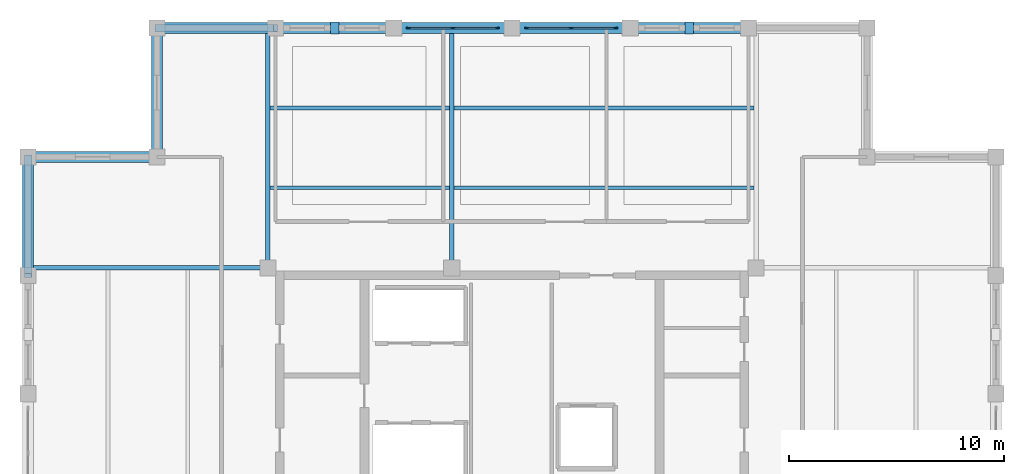
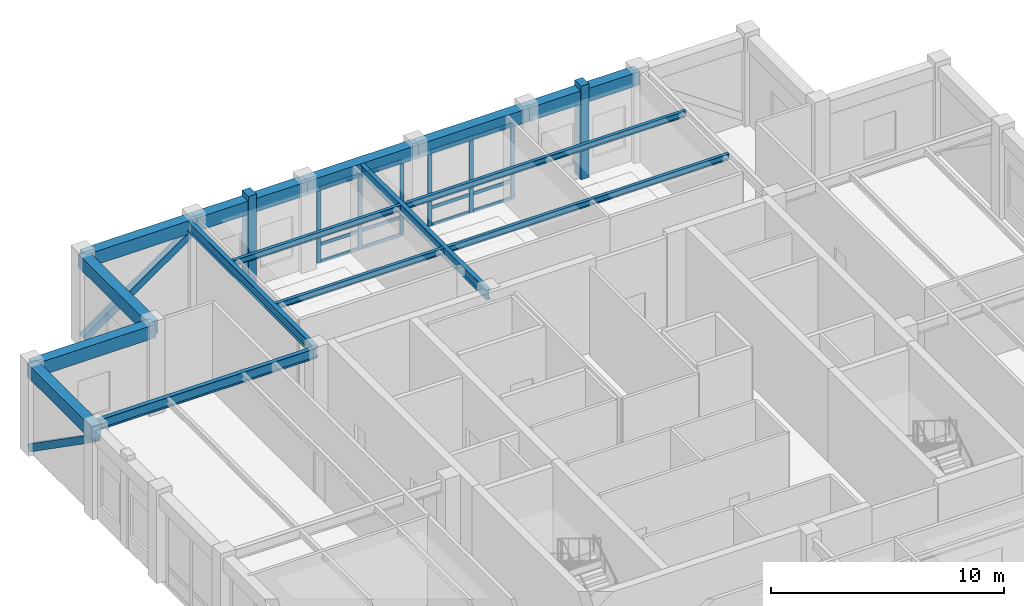
# One storey, part 5 of 13: 22 members, 15 beams, 2 elements without a shape of their own.
"""IFC4 building model written with IfcOpenShell, lengths in metres."""

from ifc_helpers import new_model, si_unit, direction, frame, origin, origin_2d, place, context, subcontext, project, spatial, rectangle, hollow_rectangle, i_section, extrude, material, layer, layer_set, material_profile, profile_set, type_object, element, aggregate, save


model = new_model("IFC4")

# Units and contexts
model_context = context("Model", 3, precision=1e-05, world=origin(), true_north=direction((0.0, 1.0)))
body_context = subcontext(model_context, "Body", "Model", "MODEL_VIEW")
ifc_project = project(units=[si_unit("LENGTHUNIT", "METRE"), si_unit("AREAUNIT", "SQUARE_METRE"), si_unit("VOLUMEUNIT", "CUBIC_METRE"), si_unit("PLANEANGLEUNIT", "RADIAN"), si_unit("MASSUNIT", "GRAM", prefix="KILO")], contexts=[model_context])

# Site, building, storey
site_placement = place(None, origin())
site = spatial("IfcSite", under=ifc_project, at=site_placement, CompositionType="ELEMENT")
building_placement = place(site_placement, origin())
building = spatial("IfcBuilding", under=site, at=building_placement, Name="Nhamokura Convention Tower", CompositionType="ELEMENT")
storey_placement = place(building_placement, frame((0.0, 0.0, 308.35009765625)))
storey = spatial("IfcBuildingStorey", under=building, at=storey_placement, Name="L76", CompositionType="ELEMENT", Elevation=308.35009765625)

# Members
ifc_material_1 = material(Name="Bronze-pigmented precast concrete C45/55", Category="concrete")
ifc_material_profile_1 = material_profile(ifc_material_1, rectangle(XDim=0.39990234375, YDim=0.550048828125, at=origin_2d()))
ifc_profile_set_1 = profile_set([ifc_material_profile_1], Name="Bronze-pigmented precast concrete C45/55")
member_type_1 = type_object("IfcMemberType", Name="BronzePilaster_550", PredefinedType="USERDEFINED", material=ifc_profile_set_1)
for number, where, z_axis, x_axis, name in (
    (1, (23.75, 54.5, 0.0), (0.0, 0.0, 1.0), (1.0, 0.0, 0.0), "L76 Engaged Frame Pilaster NORTH 1"),
    (2, (40.25, 54.5, 0.0), (0.0, 0.0, 1.0), (1.0, 0.0, 0.0), "L76 Engaged Frame Pilaster NORTH 4"),
):
    element("IfcMember", number, at=place(storey_placement, frame(where, z_axis=z_axis, x_axis=x_axis)), inside=storey, type_object=member_type_1, Name=name, ObjectType="PILASTER_TRIM", PredefinedType="USERDEFINED", context=body_context, shape_type="SweptSolid", body=[
        extrude(rectangle(XDim=0.39990234375, YDim=0.550048828125, at=origin_2d()), origin(), (0.0, 0.0, 1.0), 4.89990234375),
    ])

# Curtain wall, members
ifc_material_2 = material(Name="Anodised bronze aluminium AA6063-T6", Category="aluminium")
ifc_layer = layer(ifc_material_2, 0.18994140625)
ifc_layer_set = layer_set([ifc_layer], Name="CWSystem_SkyLobby")
curtain_wall_type = type_object("IfcCurtainWallType", Name="CWSystem_SkyLobby", PredefinedType="NOTDEFINED", material=ifc_layer_set)
curtain_wall_1_placement = place(storey_placement, origin())
curtain_wall_1 = element("IfcCurtainWall", 3, at=curtain_wall_1_placement, inside=storey, type_object=curtain_wall_type, Name="L76 Curtain Wall ENV-L76-CW-N2", PredefinedType="NOTDEFINED")
ifc_material_3 = material(Name="Anodised bronze aluminium AA6063-T6", Category="aluminium")
ifc_material_profile_2 = material_profile(ifc_material_3, rectangle(XDim=0.074951171875, YDim=0.199951171875, at=origin_2d()))
ifc_profile_set_2 = profile_set([ifc_material_profile_2], Name="Anodised bronze aluminium AA6063-T6")
member_type_2 = type_object("IfcMemberType", Name="CWMullion_2", PredefinedType="MULLION", material=ifc_profile_set_2)
member_1_placement = place(storey_placement, frame((27.1875, 54.5, 0.0), z_axis=(0.0, 0.0, 1.0), x_axis=(0.0, 1.0, 0.0)))
member_1 = element("IfcMember", 4, at=member_1_placement, type_object=member_type_2, Name="CW-06 mullion 1", PredefinedType="MULLION", context=body_context, shape_type="SweptSolid", body=[
    extrude(rectangle(XDim=0.074951171875, YDim=0.199951171875, at=origin_2d()), origin(), (0.0, 0.0, 1.0), 3.93994140625),
])
member_2_placement = place(storey_placement, frame((29.25, 54.5, 0.0), z_axis=(0.0, 0.0, 1.0), x_axis=(0.0, 1.0, 0.0)))
member_2 = element("IfcMember", 5, at=member_2_placement, type_object=member_type_2, Name="CW-06 mullion 2", PredefinedType="MULLION", context=body_context, shape_type="SweptSolid", body=[
    extrude(rectangle(XDim=0.074951171875, YDim=0.199951171875, at=origin_2d()), origin(), (0.0, 0.0, 1.0), 3.93994140625),
])
member_3_placement = place(storey_placement, frame((31.3125, 54.5, 0.0), z_axis=(0.0, 0.0, 1.0), x_axis=(0.0, 1.0, 0.0)))
member_3 = element("IfcMember", 6, at=member_3_placement, type_object=member_type_2, Name="CW-06 mullion 3", PredefinedType="MULLION", context=body_context, shape_type="SweptSolid", body=[
    extrude(rectangle(XDim=0.074951171875, YDim=0.199951171875, at=origin_2d()), origin(), (0.0, 0.0, 1.0), 3.93994140625),
])

curtain_wall_2_placement = place(storey_placement, origin())
curtain_wall_2 = element("IfcCurtainWall", 7, at=curtain_wall_2_placement, inside=storey, type_object=curtain_wall_type, Name="L76 Curtain Wall ENV-L76-CW-N3", PredefinedType="NOTDEFINED")
member_4_placement = place(storey_placement, frame((32.6875, 54.5, 0.0), z_axis=(0.0, 0.0, 1.0), x_axis=(0.0, 1.0, 0.0)))
member_4 = element("IfcMember", 8, at=member_4_placement, type_object=member_type_2, Name="CW-06 mullion 1", PredefinedType="MULLION", context=body_context, shape_type="SweptSolid", body=[
    extrude(rectangle(XDim=0.074951171875, YDim=0.199951171875, at=origin_2d()), origin(), (0.0, 0.0, 1.0), 3.93994140625),
])
member_5_placement = place(storey_placement, frame((34.75, 54.5, 0.0), z_axis=(0.0, 0.0, 1.0), x_axis=(0.0, 1.0, 0.0)))
member_5 = element("IfcMember", 9, at=member_5_placement, type_object=member_type_2, Name="CW-06 mullion 2", PredefinedType="MULLION", context=body_context, shape_type="SweptSolid", body=[
    extrude(rectangle(XDim=0.074951171875, YDim=0.199951171875, at=origin_2d()), origin(), (0.0, 0.0, 1.0), 3.93994140625),
])
member_6_placement = place(storey_placement, frame((36.8125, 54.5, 0.0), z_axis=(0.0, 0.0, 1.0), x_axis=(0.0, 1.0, 0.0)))
member_6 = element("IfcMember", 10, at=member_6_placement, type_object=member_type_2, Name="CW-06 mullion 3", PredefinedType="MULLION", context=body_context, shape_type="SweptSolid", body=[
    extrude(rectangle(XDim=0.074951171875, YDim=0.199951171875, at=origin_2d()), origin(), (0.0, 0.0, 1.0), 3.93994140625),
])

# Member
ifc_material_4 = material(Name="Anodised bronze aluminium AA6063-T6", Category="aluminium")
ifc_material_profile_3 = material_profile(ifc_material_4, rectangle(XDim=0.074951171875, YDim=0.169921875, at=origin_2d()))
ifc_profile_set_3 = profile_set([ifc_material_profile_3], Name="Anodised bronze aluminium AA6063-T6")
member_type_3 = type_object("IfcMemberType", Name="CWTransom_2", PredefinedType="USERDEFINED", material=ifc_profile_set_3)
member_7_placement = place(storey_placement, frame((27.22509765625, 54.5, 0.037353515625), z_axis=(1.0, 0.0, 0.0), x_axis=(0.0, 1.0, 0.0)))
member_7 = element("IfcMember", 11, at=member_7_placement, type_object=member_type_3, Name="CW-06 transom 1.1", ObjectType="TRANSOM", PredefinedType="USERDEFINED", context=body_context, shape_type="SweptSolid", body=[
    extrude(rectangle(XDim=0.074951171875, YDim=0.169921875, at=origin_2d()), origin(), (0.0, 0.0, 1.0), 1.9873046875),
])

member_8_placement = place(storey_placement, frame((27.22509765625, 54.5, 0.949951171875), z_axis=(1.0, 0.0, 0.0), x_axis=(0.0, 1.0, 0.0)))
member_8 = element("IfcMember", 12, at=member_8_placement, type_object=member_type_3, Name="CW-06 transom 1.2", ObjectType="TRANSOM", PredefinedType="USERDEFINED", context=body_context, shape_type="SweptSolid", body=[
    extrude(rectangle(XDim=0.074951171875, YDim=0.169921875, at=origin_2d()), origin(), (0.0, 0.0, 1.0), 1.9873046875),
])

member_9_placement = place(storey_placement, frame((27.22509765625, 54.5, 3.90234375), z_axis=(1.0, 0.0, 0.0), x_axis=(0.0, 1.0, 0.0)))
member_9 = element("IfcMember", 13, at=member_9_placement, type_object=member_type_3, Name="CW-06 transom 1.3", ObjectType="TRANSOM", PredefinedType="USERDEFINED", context=body_context, shape_type="SweptSolid", body=[
    extrude(rectangle(XDim=0.074951171875, YDim=0.169921875, at=origin_2d()), origin(), (0.0, 0.0, 1.0), 1.9873046875),
])

member_10_placement = place(storey_placement, frame((29.28759765625, 54.5, 0.037353515625), z_axis=(1.0, 0.0, 0.0), x_axis=(0.0, 1.0, 0.0)))
member_10 = element("IfcMember", 14, at=member_10_placement, type_object=member_type_3, Name="CW-06 transom 2.1", ObjectType="TRANSOM", PredefinedType="USERDEFINED", context=body_context, shape_type="SweptSolid", body=[
    extrude(rectangle(XDim=0.074951171875, YDim=0.169921875, at=origin_2d()), origin(), (0.0, 0.0, 1.0), 1.9873046875),
])

member_11_placement = place(storey_placement, frame((29.28759765625, 54.5, 0.949951171875), z_axis=(1.0, 0.0, 0.0), x_axis=(0.0, 1.0, 0.0)))
member_11 = element("IfcMember", 15, at=member_11_placement, type_object=member_type_3, Name="CW-06 transom 2.2", ObjectType="TRANSOM", PredefinedType="USERDEFINED", context=body_context, shape_type="SweptSolid", body=[
    extrude(rectangle(XDim=0.074951171875, YDim=0.169921875, at=origin_2d()), origin(), (0.0, 0.0, 1.0), 1.9873046875),
])

member_12_placement = place(storey_placement, frame((29.28759765625, 54.5, 3.90234375), z_axis=(1.0, 0.0, 0.0), x_axis=(0.0, 1.0, 0.0)))
member_12 = element("IfcMember", 16, at=member_12_placement, type_object=member_type_3, Name="CW-06 transom 2.3", ObjectType="TRANSOM", PredefinedType="USERDEFINED", context=body_context, shape_type="SweptSolid", body=[
    extrude(rectangle(XDim=0.074951171875, YDim=0.169921875, at=origin_2d()), origin(), (0.0, 0.0, 1.0), 1.9873046875),
])

aggregate(curtain_wall_1, [member_1, member_2, member_3, member_7, member_8, member_9, member_10, member_11, member_12])

member_13_placement = place(storey_placement, frame((32.72509765625, 54.5, 0.037353515625), z_axis=(1.0, 0.0, 0.0), x_axis=(0.0, 1.0, 0.0)))
member_13 = element("IfcMember", 17, at=member_13_placement, type_object=member_type_3, Name="CW-06 transom 1.1", ObjectType="TRANSOM", PredefinedType="USERDEFINED", context=body_context, shape_type="SweptSolid", body=[
    extrude(rectangle(XDim=0.074951171875, YDim=0.169921875, at=origin_2d()), origin(), (0.0, 0.0, 1.0), 1.9873046875),
])

member_14_placement = place(storey_placement, frame((32.72509765625, 54.5, 0.949951171875), z_axis=(1.0, 0.0, 0.0), x_axis=(0.0, 1.0, 0.0)))
member_14 = element("IfcMember", 18, at=member_14_placement, type_object=member_type_3, Name="CW-06 transom 1.2", ObjectType="TRANSOM", PredefinedType="USERDEFINED", context=body_context, shape_type="SweptSolid", body=[
    extrude(rectangle(XDim=0.074951171875, YDim=0.169921875, at=origin_2d()), origin(), (0.0, 0.0, 1.0), 1.9873046875),
])

member_15_placement = place(storey_placement, frame((32.72509765625, 54.5, 3.90234375), z_axis=(1.0, 0.0, 0.0), x_axis=(0.0, 1.0, 0.0)))
member_15 = element("IfcMember", 19, at=member_15_placement, type_object=member_type_3, Name="CW-06 transom 1.3", ObjectType="TRANSOM", PredefinedType="USERDEFINED", context=body_context, shape_type="SweptSolid", body=[
    extrude(rectangle(XDim=0.074951171875, YDim=0.169921875, at=origin_2d()), origin(), (0.0, 0.0, 1.0), 1.9873046875),
])

member_16_placement = place(storey_placement, frame((34.78759765625, 54.5, 0.037353515625), z_axis=(1.0, 0.0, 0.0), x_axis=(0.0, 1.0, 0.0)))
member_16 = element("IfcMember", 20, at=member_16_placement, type_object=member_type_3, Name="CW-06 transom 2.1", ObjectType="TRANSOM", PredefinedType="USERDEFINED", context=body_context, shape_type="SweptSolid", body=[
    extrude(rectangle(XDim=0.074951171875, YDim=0.169921875, at=origin_2d()), origin(), (0.0, 0.0, 1.0), 1.9873046875),
])

member_17_placement = place(storey_placement, frame((34.78759765625, 54.5, 0.949951171875), z_axis=(1.0, 0.0, 0.0), x_axis=(0.0, 1.0, 0.0)))
member_17 = element("IfcMember", 21, at=member_17_placement, type_object=member_type_3, Name="CW-06 transom 2.2", ObjectType="TRANSOM", PredefinedType="USERDEFINED", context=body_context, shape_type="SweptSolid", body=[
    extrude(rectangle(XDim=0.074951171875, YDim=0.169921875, at=origin_2d()), origin(), (0.0, 0.0, 1.0), 1.9873046875),
])

member_18_placement = place(storey_placement, frame((34.78759765625, 54.5, 3.90234375), z_axis=(1.0, 0.0, 0.0), x_axis=(0.0, 1.0, 0.0)))
member_18 = element("IfcMember", 22, at=member_18_placement, type_object=member_type_3, Name="CW-06 transom 2.3", ObjectType="TRANSOM", PredefinedType="USERDEFINED", context=body_context, shape_type="SweptSolid", body=[
    extrude(rectangle(XDim=0.074951171875, YDim=0.169921875, at=origin_2d()), origin(), (0.0, 0.0, 1.0), 1.9873046875),
])

aggregate(curtain_wall_2, [member_4, member_5, member_6, member_13, member_14, member_15, member_16, member_17, member_18])

# Beams
ifc_material_5 = material(Name="Steel ASTM A992 Gr 50", Category="steel")
ifc_material_profile_4 = material_profile(ifc_material_5, i_section(OverallWidth=0.166015625, OverallDepth=0.31298828125, WebThickness=0.006591796875, FlangeThickness=0.01123046875, at=origin_2d()))
ifc_profile_set_4 = profile_set([ifc_material_profile_4], Name="Steel ASTM A992 Gr 50")
beam_type_1 = type_object("IfcBeamType", Name="FloorJoist_W310X45", PredefinedType="JOIST", material=ifc_profile_set_4)
beam_1_placement = place(storey_placement, frame((20.75244140625, 47.066650390625, 4.4833984375), z_axis=(1.0, 0.0, 0.0), x_axis=(0.0, 1.0, 0.0)))
element("IfcBeam", 23, at=beam_1_placement, inside=storey, type_object=beam_type_1, Name="L76 Composite Floor Joist N1A", PredefinedType="JOIST", context=body_context, shape_type="SweptSolid", body=[
    extrude(i_section(OverallWidth=0.166015625, OverallDepth=0.31298828125, WebThickness=0.006591796875, FlangeThickness=0.01123046875, at=origin_2d()), origin(), (0.0, 0.0, 1.0), 8.344970703125),
])
beam_2_placement = place(storey_placement, frame((29.302490234375, 47.066650390625, 4.4833984375), z_axis=(1.0, 0.0, 0.0), x_axis=(0.0, 1.0, 0.0)))
element("IfcBeam", 24, at=beam_2_placement, inside=storey, type_object=beam_type_1, Name="L76 Composite Floor Joist N1B", PredefinedType="JOIST", context=body_context, shape_type="SweptSolid", body=[
    extrude(i_section(OverallWidth=0.166015625, OverallDepth=0.31298828125, WebThickness=0.006591796875, FlangeThickness=0.01123046875, at=origin_2d()), origin(), (0.0, 0.0, 1.0), 13.945068359375),
])
beam_3_placement = place(storey_placement, frame((20.75244140625, 50.783203125, 4.4833984375), z_axis=(1.0, 0.0, 0.0), x_axis=(0.0, 1.0, 0.0)))
element("IfcBeam", 25, at=beam_3_placement, inside=storey, type_object=beam_type_1, Name="L76 Composite Floor Joist N2A", PredefinedType="JOIST", context=body_context, shape_type="SweptSolid", body=[
    extrude(i_section(OverallWidth=0.166015625, OverallDepth=0.31298828125, WebThickness=0.006591796875, FlangeThickness=0.01123046875, at=origin_2d()), origin(), (0.0, 0.0, 1.0), 8.344970703125),
])
beam_4_placement = place(storey_placement, frame((29.302490234375, 50.783203125, 4.4833984375), z_axis=(1.0, 0.0, 0.0), x_axis=(0.0, 1.0, 0.0)))
element("IfcBeam", 26, at=beam_4_placement, inside=storey, type_object=beam_type_1, Name="L76 Composite Floor Joist N2B", PredefinedType="JOIST", context=body_context, shape_type="SweptSolid", body=[
    extrude(i_section(OverallWidth=0.166015625, OverallDepth=0.31298828125, WebThickness=0.006591796875, FlangeThickness=0.01123046875, at=origin_2d()), origin(), (0.0, 0.0, 1.0), 13.945068359375),
])
ifc_material_6 = material(Name="Steel ASTM A992 Gr 50", Category="steel")
ifc_material_profile_5 = material_profile(ifc_material_6, i_section(OverallWidth=0.208984375, OverallDepth=0.532958984375, WebThickness=0.01025390625, FlangeThickness=0.015625, at=origin_2d()))
ifc_profile_set_5 = profile_set([ifc_material_profile_5], Name="Steel ASTM A992 Gr 50")
beam_type_2 = type_object("IfcBeamType", Name="PrimaryGirder_W530X92", PredefinedType="BEAM", material=ifc_profile_set_5)
for number, where, z_axis, x_axis, name in (
    (27, (20.64990234375, 43.35009765625, 4.373291015625), (0.0, 1.0, 0.0), (-1.0, 0.0, 0.0), "L76 Primary Floor Girder PG-N1"),
    (28, (29.199951171875, 43.35009765625, 4.373291015625), (0.0, 1.0, 0.0), (-1.0, 0.0, 0.0), "L76 Primary Floor Girder PG-N2"),
    (29, (9.5, 43.35009765625, 4.373291015625), (1.0, 0.0, 0.0), (0.0, 1.0, 0.0), "L76 Primary Floor Girder PG-W3"),
):
    element("IfcBeam", number, at=place(storey_placement, frame(where, z_axis=z_axis, x_axis=x_axis)), inside=storey, type_object=beam_type_2, Name=name, PredefinedType="BEAM", context=body_context, shape_type="SweptSolid", body=[
        extrude(i_section(OverallWidth=0.208984375, OverallDepth=0.532958984375, WebThickness=0.01025390625, FlangeThickness=0.015625, at=origin_2d()), origin(), (0.0, 0.0, 1.0), 11.14990234375),
    ])

# Members
ifc_material_7 = material(Name="Steel ASTM A572 Gr 50", Category="steel")
ifc_material_profile_6 = material_profile(ifc_material_7, hollow_rectangle(XDim=0.35009765625, YDim=0.35009765625, WallThickness=0.01611328125, at=origin_2d()))
ifc_profile_set_6 = profile_set([ifc_material_profile_6], Name="Steel ASTM A572 Gr 50")
member_type_4 = type_object("IfcMemberType", Name="TubeBrace_HSS350", PredefinedType="BRACE", material=ifc_profile_set_6)
for number, where, z_axis, x_axis, name in (
    (30, (15.5, 54.5, 0.14990234375), (0.819925528188, 0.0, 0.572470198547), (0.0, 1.0, 0.0), "L76 Perimeter Tube Brace NORTH Bay 0"),
    (31, (9.5, 48.5, 0.14990234375), (0.0, -0.819925528188, 0.572470198547), (1.0, 0.0, 0.0), "L76 Perimeter Tube Brace WEST Bay 5"),
):
    element("IfcMember", number, at=place(storey_placement, frame(where, z_axis=z_axis, x_axis=x_axis)), inside=storey, type_object=member_type_4, Name=name, PredefinedType="BRACE", context=body_context, shape_type="SweptSolid", body=[
        extrude(hollow_rectangle(XDim=0.35009765625, YDim=0.35009765625, WallThickness=0.01611328125, at=origin_2d()), origin(), (0.0, 0.0, 1.0), 6.7080078125),
    ])

# Beams
ifc_material_8 = material(Name="Concrete C50/60", Category="concrete")
ifc_material_profile_7 = material_profile(ifc_material_8, rectangle(XDim=0.5, YDim=0.699951171875, at=origin_2d()))
ifc_profile_set_7 = profile_set([ifc_material_profile_7], Name="Concrete C50/60")
beam_type_3 = type_object("IfcBeamType", Name="TubeSpandrel_700", PredefinedType="SPANDREL", material=ifc_profile_set_7)
for number, where, z_axis, x_axis, name in (
    (32, (15.5, 54.5, 4.289794921875), (1.0, 0.0, 0.0), (0.0, 1.0, 0.0), "L76 Perimeter Spandrel NORTH 1"),
    (33, (21.0, 54.5, 4.289794921875), (1.0, 0.0, 0.0), (0.0, 1.0, 0.0), "L76 Perimeter Spandrel NORTH 2"),
    (34, (26.5, 54.5, 4.289794921875), (1.0, 0.0, 0.0), (0.0, 1.0, 0.0), "L76 Perimeter Spandrel NORTH 3"),
    (35, (32.0, 54.5, 4.289794921875), (1.0, 0.0, 0.0), (0.0, 1.0, 0.0), "L76 Perimeter Spandrel NORTH 4"),
    (36, (37.5, 54.5, 4.289794921875), (1.0, 0.0, 0.0), (0.0, 1.0, 0.0), "L76 Perimeter Spandrel NORTH 5"),
    (37, (9.5, 43.0, 4.289794921875), (0.0, 1.0, 0.0), (-1.0, 0.0, 0.0), "L76 Perimeter Spandrel WEST 6"),
):
    element("IfcBeam", number, at=place(storey_placement, frame(where, z_axis=z_axis, x_axis=x_axis)), inside=storey, type_object=beam_type_3, Name=name, PredefinedType="SPANDREL", context=body_context, shape_type="SweptSolid", body=[
        extrude(rectangle(XDim=0.5, YDim=0.699951171875, at=origin_2d()), origin(), (0.0, 0.0, 1.0), 5.5),
    ])
for number, where, z_axis, x_axis, name in (
    (38, (15.5, 54.5, 4.289794921875), (0.0, -1.0, 0.0), (1.0, 0.0, 0.0), "L76 Notch Spandrel NW1"),
    (39, (15.5, 48.5, 4.289794921875), (-1.0, 0.0, 0.0), (0.0, -1.0, 0.0), "L76 Notch Spandrel NW2"),
):
    element("IfcBeam", number, at=place(storey_placement, frame(where, z_axis=z_axis, x_axis=x_axis)), inside=storey, type_object=beam_type_3, Name=name, PredefinedType="SPANDREL", context=body_context, shape_type="SweptSolid", body=[
        extrude(rectangle(XDim=0.5, YDim=0.699951171875, at=origin_2d()), origin(), (0.0, 0.0, 1.0), 6.0),
    ])

save(model, "model.ifc")
